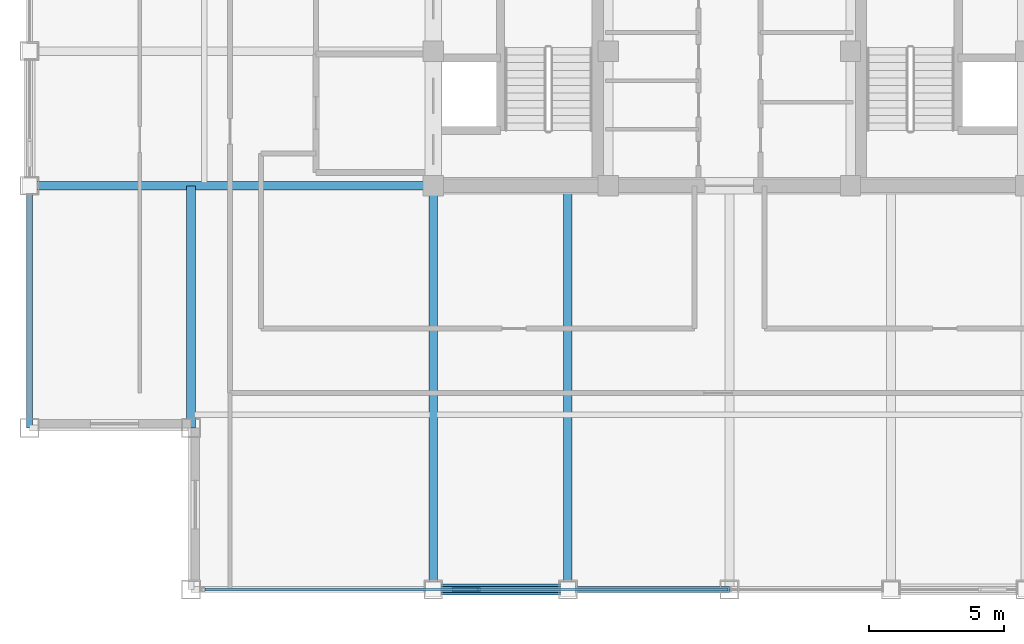
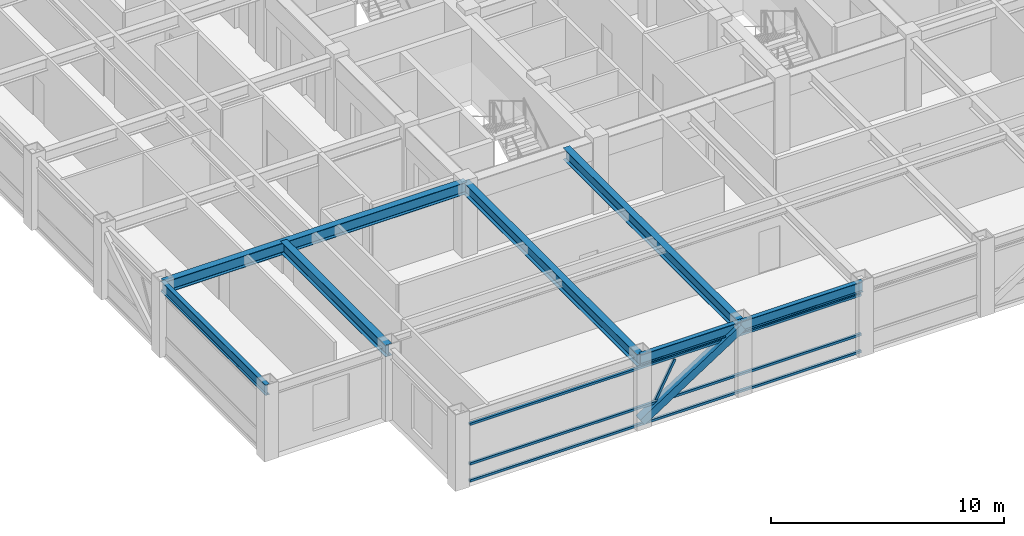
# One storey, part 3 of 29: 7 beams, 5 members, 1 element without a shape of its own.
"""IFC4 building model written with IfcOpenShell, lengths in metres."""

from ifc_helpers import new_model, si_unit, direction, frame, origin, origin_2d, place, context, subcontext, project, spatial, hollow_rectangle, i_section, extrude, source, transform, mapped, material, material_profile, profile_set, type_object, element, aggregate, save


model = new_model("IFC4")

# Units and contexts
model_context = context("Model", 3, precision=1e-05, world=origin(), true_north=direction((0.0, 1.0)))
body_context = subcontext(model_context, "Body", "Model", "MODEL_VIEW")
ifc_project = project(units=[si_unit("LENGTHUNIT", "METRE"), si_unit("AREAUNIT", "SQUARE_METRE"), si_unit("VOLUMEUNIT", "CUBIC_METRE"), si_unit("PLANEANGLEUNIT", "RADIAN"), si_unit("MASSUNIT", "GRAM", prefix="KILO")], contexts=[model_context])

# Site, building, storey
site_placement = place(None, origin())
site = spatial("IfcSite", under=ifc_project, at=site_placement, CompositionType="ELEMENT")
building_placement = place(site_placement, origin())
building = spatial("IfcBuilding", under=site, at=building_placement, Name="Khorayat Bourse Tower", CompositionType="ELEMENT")
storey_placement = place(building_placement, frame((0.0, 0.0, 366.300048828125)))
storey = spatial("IfcBuildingStorey", under=building, at=storey_placement, Name="L87", CompositionType="ELEMENT", Elevation=366.300048828125)

# Beams
ifc_material_1 = material(Name="Steel ASTM A992 Grade 50", Category="steel")
ifc_material_profile_1 = material_profile(ifc_material_1, i_section(OverallWidth=0.214111328125, OverallDepth=0.549072265625, WebThickness=0.0146484375, FlangeThickness=0.023681640625, FilletRadius=0.013916015625, at=origin_2d()), Name="W530X138")
ifc_profile_set_1 = profile_set([ifc_material_profile_1], Name="Steel ASTM A992 Grade 50")
beam_type_1 = type_object("IfcBeamType", Name="BM-SPAN-530", PredefinedType="SPANDREL", material=ifc_profile_set_1)
shared_shape_1 = source(origin(), body_context, "Body", "SweptSolid", [
    extrude(i_section(OverallWidth=0.214111328125, OverallDepth=0.549072265625, WebThickness=0.0146484375, FlangeThickness=0.023681640625, FilletRadius=0.013916015625, at=origin_2d()), origin(), (0.0, 0.0, 1.0), 9.0),
])
beam_1_placement = place(storey_placement, frame((-26.0, -20.0, 3.46533203125), z_axis=(0.0, 1.0, 0.0), x_axis=(-1.0, 0.0, 0.0)))
element("IfcBeam", 1, at=beam_1_placement, inside=storey, type_object=beam_type_1, Name="L87 BM-SPAN-530 BM-L87-SPN-053", PredefinedType="SPANDREL", context=body_context, shape_type="MappedRepresentation", body=[
    mapped(shared_shape_1, transform((0.0, 0.0, 0.0), scale=1.0)),
])
shared_shape_2 = source(origin(), body_context, "Body", "SweptSolid", [
    extrude(i_section(OverallWidth=0.214111328125, OverallDepth=0.549072265625, WebThickness=0.0146484375, FlangeThickness=0.023681640625, FilletRadius=0.013916015625, at=origin_2d()), origin(), (0.0, 0.0, 1.0), 5.0),
])
beam_2_placement = place(storey_placement, frame((-11.0, -26.0, 3.46533203125), z_axis=(1.0, 0.0, 0.0), x_axis=(0.0, 1.0, 0.0)))
element("IfcBeam", 2, at=beam_2_placement, inside=storey, type_object=beam_type_1, Name="L87 BM-SPAN-530 BM-L87-SPN-025", PredefinedType="SPANDREL", context=body_context, shape_type="MappedRepresentation", body=[
    mapped(shared_shape_2, transform((0.0, 0.0, 0.0), scale=1.0)),
])
shared_shape_3 = source(origin(), body_context, "Body", "SweptSolid", [
    extrude(i_section(OverallWidth=0.214111328125, OverallDepth=0.549072265625, WebThickness=0.0146484375, FlangeThickness=0.023681640625, FilletRadius=0.013916015625, at=origin_2d()), origin(), (0.0, 0.0, 1.0), 6.0),
])
beam_3_placement = place(storey_placement, frame((-6.0, -26.0, 3.46533203125), z_axis=(1.0, 0.0, 0.0), x_axis=(0.0, 1.0, 0.0)))
element("IfcBeam", 3, at=beam_3_placement, inside=storey, type_object=beam_type_1, Name="L87 BM-SPAN-530 BM-L87-SPN-026", PredefinedType="SPANDREL", context=body_context, shape_type="MappedRepresentation", body=[
    mapped(shared_shape_3, transform((0.0, 0.0, 0.0), scale=1.0)),
])
ifc_material_profile_2 = material_profile(ifc_material_1, i_section(OverallWidth=0.324951171875, OverallDepth=0.615966796875, WebThickness=0.013916015625, FlangeThickness=0.021484375, FilletRadius=0.01611328125, at=origin_2d()), Name="W610X174")
ifc_profile_set_2 = profile_set([ifc_material_profile_2], Name="Steel ASTM A992 Grade 50")
beam_type_2 = type_object("IfcBeamType", Name="BM-GIRD-610", PredefinedType="BEAM", material=ifc_profile_set_2)
shared_shape_4 = source(origin(), body_context, "Body", "SweptSolid", [
    extrude(i_section(OverallWidth=0.324951171875, OverallDepth=0.615966796875, WebThickness=0.013916015625, FlangeThickness=0.021484375, FilletRadius=0.01611328125, at=origin_2d()), origin(), (0.0, 0.0, 1.0), 15.0),
])
for number, where, z_axis, x_axis, name in (
    (4, (-11.0, -26.0, 3.431884765625), (0.0, 1.0, 0.0), (-1.0, 0.0, 0.0), "L87 BM-GIRD-610 BM-L87-RADY-057"),
    (5, (-6.0, -26.0, 3.431884765625), (0.0, 1.0, 0.0), (-1.0, 0.0, 0.0), "L87 BM-GIRD-610 BM-L87-RADY-059"),
    (6, (-26.0, -11.0, 3.431884765625), (1.0, 0.0, 0.0), (0.0, 1.0, 0.0), "L87 BM-GIRD-610 BM-L87-RADX-067"),
):
    element("IfcBeam", number, at=place(storey_placement, frame(where, z_axis=z_axis, x_axis=x_axis)), inside=storey, type_object=beam_type_2, Name=name, PredefinedType="BEAM", context=body_context, shape_type="MappedRepresentation", body=[
        mapped(shared_shape_4, transform((0.0, 0.0, 0.0), scale=1.0)),
    ])
shared_shape_5 = source(origin(), body_context, "Body", "SweptSolid", [
    extrude(i_section(OverallWidth=0.324951171875, OverallDepth=0.615966796875, WebThickness=0.013916015625, FlangeThickness=0.021484375, FilletRadius=0.01611328125, at=origin_2d()), origin(), (0.0, 0.0, 1.0), 9.0),
])
beam_4_placement = place(storey_placement, frame((-20.0, -20.0, 3.431884765625), z_axis=(0.0, 1.0, 0.0), x_axis=(-1.0, 0.0, 0.0)))
element("IfcBeam", 7, at=beam_4_placement, inside=storey, type_object=beam_type_2, Name="L87 BM-GIRD-610 BM-L87-CNRY-076", PredefinedType="BEAM", context=body_context, shape_type="MappedRepresentation", body=[
    mapped(shared_shape_5, transform((0.0, 0.0, 0.0), scale=1.0)),
])

# Member
ifc_material_2 = material(Name="Steel EN 10025-4 S460M", Category="steel")
ifc_material_profile_3 = material_profile(ifc_material_2, hollow_rectangle(XDim=0.39990234375, YDim=0.39990234375, WallThickness=0.02197265625, at=origin_2d()), Name="HSS 400x400x22")
ifc_profile_set_3 = profile_set([ifc_material_profile_3], Name="Steel EN 10025-4 S460M")
member_type_1 = type_object("IfcMemberType", Name="MBR-TUBE-400", PredefinedType="BRACE", material=ifc_profile_set_3)
shared_shape_6 = source(origin(), body_context, "Body", "SweptSolid", [
    extrude(hollow_rectangle(XDim=0.39990234375, YDim=0.39990234375, WallThickness=0.02197265625, at=origin_2d()), origin(), (0.0, 0.0, 1.0), 5.9580078125),
])
member_1_placement = place(storey_placement, frame((-11.0, -26.0, 0.25), z_axis=(0.839210474455, 0.0, 0.543806748364), x_axis=(0.0, 1.0, 0.0)))
element("IfcMember", 8, at=member_1_placement, inside=storey, type_object=member_type_1, Name="L87 Perimeter Tube Brace 01", PredefinedType="BRACE", context=body_context, shape_type="MappedRepresentation", body=[
    mapped(shared_shape_6, transform((0.0, 0.0, 0.0), scale=1.0)),
])

# Curtain wall, members
ifc_material_3 = material(Name="Aluminium EN AW-6063 T6", Category="aluminium")
curtain_wall_type = type_object("IfcCurtainWallType", Name="CW-SYS-04", PredefinedType="NOTDEFINED", material=ifc_material_3)
curtain_wall_placement = place(storey_placement, origin())
curtain_wall = element("IfcCurtainWall", 9, at=curtain_wall_placement, inside=storey, type_object=curtain_wall_type, Name="L87 Curtain Wall CW-L87-S1", PredefinedType="NOTDEFINED")
ifc_material_profile_4 = material_profile(ifc_material_3, hollow_rectangle(XDim=0.1201171875, YDim=0.1201171875, WallThickness=0.0048828125, at=origin_2d()), Name="ALU 120x120x5")
ifc_profile_set_4 = profile_set([ifc_material_profile_4], Name="Aluminium EN AW-6063 T6")
member_type_2 = type_object("IfcMemberType", Name="CWM-DIAG-120", PredefinedType="MULLION", material=ifc_profile_set_4)
shared_shape_7 = source(origin(), body_context, "Body", "SweptSolid", [
    extrude(hollow_rectangle(XDim=0.1201171875, YDim=0.1201171875, WallThickness=0.0048828125, at=origin_2d()), origin(), (0.0, 0.0, 1.0), 2.0341796875),
])
member_2_placement = place(storey_placement, frame((-10.24365234375, -26.0, 1.08984375), z_axis=(0.465696964104, 0.0, 0.884944256789), x_axis=(0.0, 1.0, 0.0)))
member_2 = element("IfcMember", 10, at=member_2_placement, type_object=member_type_2, Name="CW-L87-S1 Faceted Diagonal Mullion 1", PredefinedType="MULLION", context=body_context, shape_type="MappedRepresentation", body=[
    mapped(shared_shape_7, transform((0.0, 0.0, 0.0), scale=1.0)),
])
ifc_material_profile_5 = material_profile(ifc_material_3, hollow_rectangle(XDim=0.1201171875, YDim=0.1201171875, WallThickness=0.0048828125, at=origin_2d()), Name="ALU 120x120x5")
ifc_profile_set_5 = profile_set([ifc_material_profile_5], Name="Aluminium EN AW-6063 T6")
member_type_3 = type_object("IfcMemberType", Name="CWT-HORZ-120", PredefinedType="USERDEFINED", material=ifc_profile_set_5)
shared_shape_8 = source(origin(), body_context, "Body", "SweptSolid", [
    extrude(hollow_rectangle(XDim=0.1201171875, YDim=0.1201171875, WallThickness=0.0048828125, at=origin_2d()), origin(), (0.0, 0.0, 1.0), 19.419921875),
])
member_3_placement = place(storey_placement, frame((-19.47998046875, -26.0, 0.06005859375), z_axis=(1.0, 0.0, 0.0), x_axis=(0.0, 1.0, 0.0)))
member_3 = element("IfcMember", 11, at=member_3_placement, type_object=member_type_3, Name="CW-L87-S1 Horizontal Transom 1-1", ObjectType="TRANSOM", PredefinedType="USERDEFINED", context=body_context, shape_type="MappedRepresentation", body=[
    mapped(shared_shape_8, transform((0.0, 0.0, 0.0), scale=1.0)),
])
member_4_placement = place(storey_placement, frame((-19.47998046875, -26.0, 0.949951171875), z_axis=(1.0, 0.0, 0.0), x_axis=(0.0, 1.0, 0.0)))
member_4 = element("IfcMember", 12, at=member_4_placement, type_object=member_type_3, Name="CW-L87-S1 Horizontal Transom 1-2", ObjectType="TRANSOM", PredefinedType="USERDEFINED", context=body_context, shape_type="MappedRepresentation", body=[
    mapped(shared_shape_8, transform((0.0, 0.0, 0.0), scale=1.0)),
])
member_5_placement = place(storey_placement, frame((-19.47998046875, -26.0, 3.030029296875), z_axis=(1.0, 0.0, 0.0), x_axis=(0.0, 1.0, 0.0)))
member_5 = element("IfcMember", 13, at=member_5_placement, type_object=member_type_3, Name="CW-L87-S1 Horizontal Transom 1-3", ObjectType="TRANSOM", PredefinedType="USERDEFINED", context=body_context, shape_type="MappedRepresentation", body=[
    mapped(shared_shape_8, transform((0.0, 0.0, 0.0), scale=1.0)),
])
aggregate(curtain_wall, [member_3, member_4, member_5, member_2])

save(model, "model.ifc")
